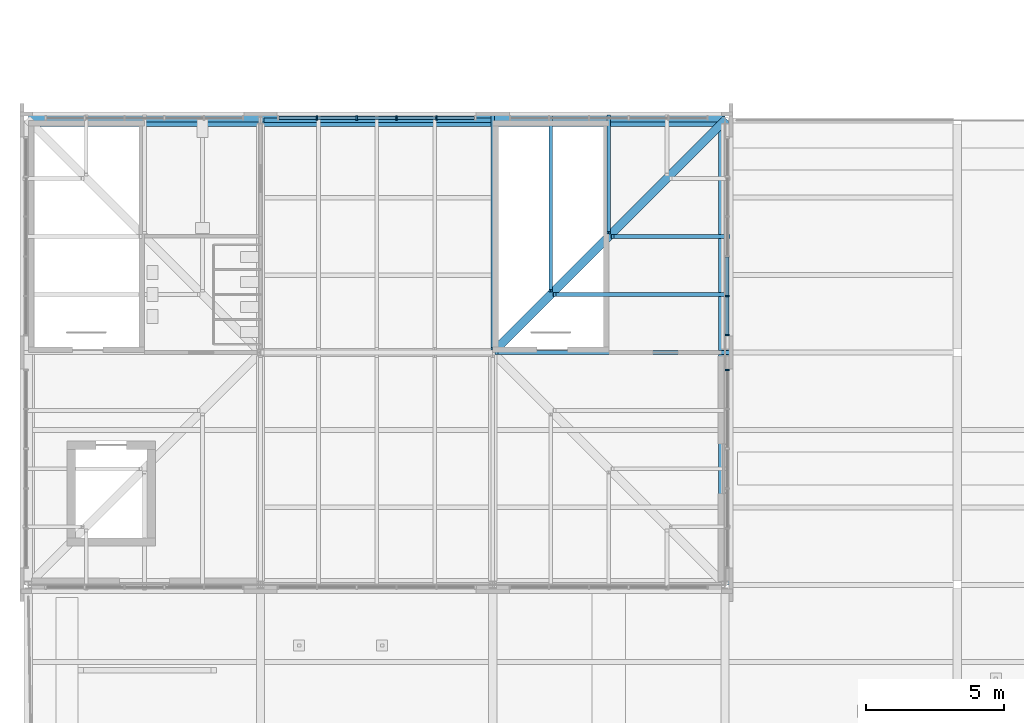
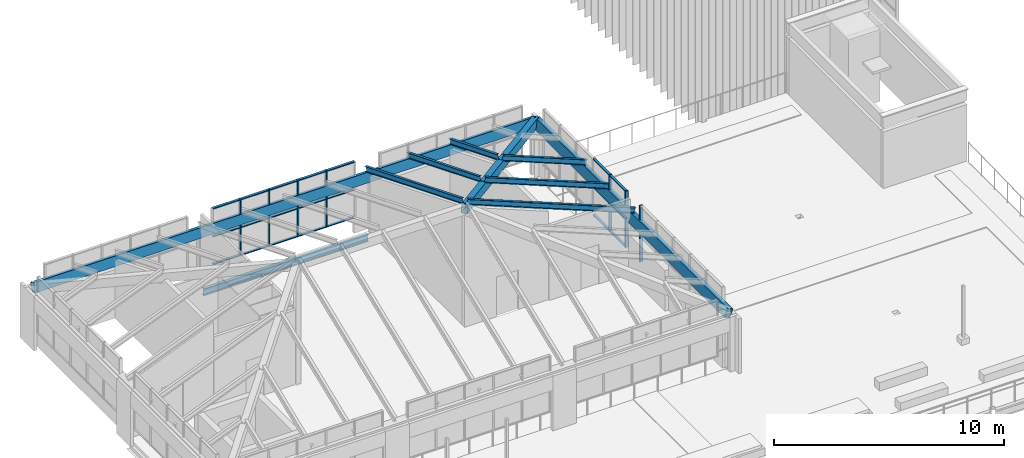
# One storey, part 11 of 126: 34 members, 4 beams, 3 elements without a shape of their own.
"""IFC4 building model written with IfcOpenShell, lengths in metres."""

from ifc_helpers import new_model, si_unit, direction, frame, origin, origin_2d, place, context, subcontext, project, spatial, polyline, rectangle, i_section, outline, extrude, material, material_profile, profile_set, type_object, element, aggregate, save


model = new_model("IFC4")

# Units and contexts
model_context = context("Model", 3, precision=1e-05, world=origin(), true_north=direction((0.0, 1.0)))
body_context = subcontext(model_context, "Body", "Model", "MODEL_VIEW")
ifc_project = project(units=[si_unit("LENGTHUNIT", "METRE"), si_unit("AREAUNIT", "SQUARE_METRE"), si_unit("VOLUMEUNIT", "CUBIC_METRE"), si_unit("PLANEANGLEUNIT", "RADIAN"), si_unit("MASSUNIT", "GRAM", prefix="KILO")], contexts=[model_context])

# Site, building, storey
site_placement = place(None, origin())
site = spatial("IfcSite", under=ifc_project, at=site_placement, CompositionType="ELEMENT")
building_placement = place(site_placement, origin())
building = spatial("IfcBuilding", under=site, at=building_placement, Name="Sava Quay Ferry Terminal", CompositionType="ELEMENT")
storey_placement = place(building_placement, frame((0.0, 0.0, 15.0)))
storey = spatial("IfcBuildingStorey", under=building, at=storey_placement, Name="L03", CompositionType="ELEMENT", Elevation=15.0)

# Beams
ifc_material_1 = material(Name="Steel S355", Category="steel")
ifc_material_profile_1 = material_profile(ifc_material_1, i_section(OverallWidth=0.169921875, OverallDepth=0.360107421875, WebThickness=0.008056640625, FlangeThickness=0.0126953125, at=origin_2d()), Name="IPE 360")
ifc_profile_set_1 = profile_set([ifc_material_profile_1], Name="Steel S355")
beam_type_1 = type_object("IfcBeamType", Name="Beam IPE 360", PredefinedType="BEAM", material=ifc_profile_set_1)
beam_1_placement = place(storey_placement, frame((8.530029296875, 50.39990234375, -0.31005859375), z_axis=(1.0, 0.0, 0.0), x_axis=(0.0, 1.0, 0.0)))
element("IfcBeam", 1, at=beam_1_placement, inside=storey, type_object=beam_type_1, Name="Beam L03", PredefinedType="BEAM", context=body_context, shape_type="SweptSolid", body=[
    extrude(i_section(OverallWidth=0.169921875, OverallDepth=0.360107421875, WebThickness=0.008056640625, FlangeThickness=0.0126953125, at=origin_2d()), origin(), (0.0, 0.0, 1.0), 8.27001953125),
])
ifc_material_2 = material(Name="Steel S355", Category="steel")
ifc_material_profile_2 = material_profile(ifc_material_2, outline(polyline([(-0.14990234375, -0.228515625), (0.14990234375, -0.228515625), (0.14990234375, 0.228515625), (-0.14990234375, 0.228515625), (-0.14990234375, -0.228515625)]), holes=[polyline([(-0.1298828125, -0.20849609375), (-0.1298828125, 0.20849609375), (0.1298828125, 0.20849609375), (0.1298828125, -0.20849609375), (-0.1298828125, -0.20849609375)])]), Name="Box 457x300x20 built-up")
ifc_profile_set_2 = profile_set([ifc_material_profile_2], Name="Steel S355")
beam_type_2 = type_object("IfcBeamType", Name="Fascia beam Box 457x300x20", PredefinedType="BEAM", material=ifc_profile_set_2)
beam_2_placement = place(storey_placement, frame((25.199951171875, 50.39990234375, 2.89990234375), z_axis=(-1.0, 0.0, 0.0), x_axis=(0.0, -0.927183854567, 0.374606593416)))
element("IfcBeam", 2, at=beam_2_placement, inside=storey, type_object=beam_type_2, Name="West pavilion eave fascia beam EA3", PredefinedType="BEAM", context=body_context, shape_type="SweptSolid", body=[
    extrude(outline(polyline([(-0.14990234375, -0.228515625), (0.14990234375, -0.228515625), (0.14990234375, 0.228515625), (-0.14990234375, 0.228515625), (-0.14990234375, -0.228515625)]), holes=[polyline([(-0.1298828125, -0.20849609375), (-0.1298828125, 0.20849609375), (0.1298828125, 0.20849609375), (0.1298828125, -0.20849609375), (-0.1298828125, -0.20849609375)])]), origin(), (0.0, 0.0, 1.0), 25.199951171875),
])
beam_3_placement = place(storey_placement, frame((25.199951171875, 50.39990234375, 2.89990234375), z_axis=(-0.679904249952, -0.679904249952, 0.274700603923), x_axis=(0.707106781187, -0.707106781187, 0.0)))
element("IfcBeam", 3, at=beam_3_placement, inside=storey, type_object=beam_type_2, Name="West pavilion hip fascia beam HI4", PredefinedType="BEAM", context=body_context, shape_type="SweptSolid", body=[
    extrude(outline(polyline([(-0.14990234375, -0.228515625), (0.14990234375, -0.228515625), (0.14990234375, 0.228515625), (-0.14990234375, 0.228515625), (-0.14990234375, -0.228515625)]), holes=[polyline([(-0.1298828125, -0.20849609375), (-0.1298828125, 0.20849609375), (0.1298828125, 0.20849609375), (0.1298828125, -0.20849609375), (-0.1298828125, -0.20849609375)])]), origin(), (0.0, 0.0, 1.0), 12.3544921875),
])
beam_4_placement = place(storey_placement, frame((25.199951171875, 33.60009765625, 2.89990234375), z_axis=(0.0, 1.0, 0.0), x_axis=(-0.927183854567, 0.0, 0.374606593416)))
element("IfcBeam", 4, at=beam_4_placement, inside=storey, type_object=beam_type_2, Name="West pavilion eave fascia beam EA4", PredefinedType="BEAM", context=body_context, shape_type="SweptSolid", body=[
    extrude(outline(polyline([(-0.14990234375, -0.228515625), (0.14990234375, -0.228515625), (0.14990234375, 0.228515625), (-0.14990234375, 0.228515625), (-0.14990234375, -0.228515625)]), holes=[polyline([(-0.1298828125, -0.20849609375), (-0.1298828125, 0.20849609375), (0.1298828125, 0.20849609375), (0.1298828125, -0.20849609375), (-0.1298828125, -0.20849609375)])]), origin(), (0.0, 0.0, 1.0), 16.7998046875),
])

# Curtain wall, member
ifc_material_3 = material(Name="Aluminium and glass curtain wall, double low-e glazed", Category="aluminium")
curtain_wall_type = type_object("IfcCurtainWallType", Name="Curtain wall CW-F flank", PredefinedType="NOTDEFINED", material=ifc_material_3)
curtain_wall_1_placement = place(storey_placement, origin())
curtain_wall_1 = element("IfcCurtainWall", 5, at=curtain_wall_1_placement, inside=storey, type_object=curtain_wall_type, Name="Curtain wall W-PAV-E L03 bay 1", PredefinedType="NOTDEFINED")
ifc_material_4 = material(Name="Aluminium EN AW-6063 T6", Category="aluminium")
ifc_material_profile_3 = material_profile(ifc_material_4, rectangle(XDim=0.14990234375, YDim=0.06005859375, at=origin_2d()), Name="Mullion 60x150 aluminium")
ifc_profile_set_3 = profile_set([ifc_material_profile_3], Name="Aluminium EN AW-6063 T6")
member_type_1 = type_object("IfcMemberType", Name="Mullion 60x150 aluminium", PredefinedType="MULLION", material=ifc_profile_set_3)
member_1_placement = place(storey_placement, frame((25.284912109375, 41.3701171875, 0.89990234375), z_axis=(0.0, 0.0, 1.0), x_axis=(-1.0, 0.0, 0.0)))
member_1 = element("IfcMember", 6, at=member_1_placement, type_object=member_type_1, Name="CW121 mullion 6", PredefinedType="MULLION", context=body_context, shape_type="SweptSolid", body=[
    extrude(rectangle(XDim=0.14990234375, YDim=0.06005859375, at=origin_2d()), origin(), (0.0, 0.0, 1.0), 3.0),
])
aggregate(curtain_wall_1, [member_1])

# Curtain wall, members
curtain_wall_2_placement = place(storey_placement, origin())
curtain_wall_2 = element("IfcCurtainWall", 7, at=curtain_wall_2_placement, inside=storey, type_object=curtain_wall_type, Name="Curtain wall W-PAV-E L03 bay 2", PredefinedType="NOTDEFINED")
member_2_placement = place(storey_placement, frame((25.284912109375, 42.6298828125, 0.89990234375), z_axis=(0.0, 0.0, 1.0), x_axis=(-1.0, 0.0, 0.0)))
member_2 = element("IfcMember", 8, at=member_2_placement, type_object=member_type_1, Name="CW122 mullion 1", PredefinedType="MULLION", context=body_context, shape_type="SweptSolid", body=[
    extrude(rectangle(XDim=0.14990234375, YDim=0.06005859375, at=origin_2d()), origin(), (0.0, 0.0, 1.0), 3.0),
])
member_3_placement = place(storey_placement, frame((25.284912109375, 44.0400390625, 0.89990234375), z_axis=(0.0, 0.0, 1.0), x_axis=(-1.0, 0.0, 0.0)))
member_3 = element("IfcMember", 9, at=member_3_placement, type_object=member_type_1, Name="CW122 mullion 2", PredefinedType="MULLION", context=body_context, shape_type="SweptSolid", body=[
    extrude(rectangle(XDim=0.14990234375, YDim=0.06005859375, at=origin_2d()), origin(), (0.0, 0.0, 1.0), 3.0),
])

curtain_wall_3_placement = place(storey_placement, origin())
curtain_wall_3 = element("IfcCurtainWall", 10, at=curtain_wall_3_placement, inside=storey, type_object=curtain_wall_type, Name="Curtain wall W-PAV-N L03 bay 2", PredefinedType="NOTDEFINED")
member_4_placement = place(storey_placement, frame((10.43994140625, 50.485107421875, 0.89990234375), z_axis=(0.0, 0.0, 1.0), x_axis=(0.0, 1.0, 0.0)))
member_4 = element("IfcMember", 11, at=member_4_placement, type_object=member_type_1, Name="CW124 mullion 2", PredefinedType="MULLION", context=body_context, shape_type="SweptSolid", body=[
    extrude(rectangle(XDim=0.14990234375, YDim=0.06005859375, at=origin_2d()), origin(), (0.0, 0.0, 1.0), 3.0),
])
member_5_placement = place(storey_placement, frame((11.8798828125, 50.485107421875, 0.89990234375), z_axis=(0.0, 0.0, 1.0), x_axis=(0.0, 1.0, 0.0)))
member_5 = element("IfcMember", 12, at=member_5_placement, type_object=member_type_1, Name="CW124 mullion 3", PredefinedType="MULLION", context=body_context, shape_type="SweptSolid", body=[
    extrude(rectangle(XDim=0.14990234375, YDim=0.06005859375, at=origin_2d()), origin(), (0.0, 0.0, 1.0), 3.0),
])
member_6_placement = place(storey_placement, frame((13.320068359375, 50.485107421875, 0.89990234375), z_axis=(0.0, 0.0, 1.0), x_axis=(0.0, 1.0, 0.0)))
member_6 = element("IfcMember", 13, at=member_6_placement, type_object=member_type_1, Name="CW124 mullion 4", PredefinedType="MULLION", context=body_context, shape_type="SweptSolid", body=[
    extrude(rectangle(XDim=0.14990234375, YDim=0.06005859375, at=origin_2d()), origin(), (0.0, 0.0, 1.0), 3.0),
])
member_7_placement = place(storey_placement, frame((14.760009765625, 50.485107421875, 0.89990234375), z_axis=(0.0, 0.0, 1.0), x_axis=(0.0, 1.0, 0.0)))
member_7 = element("IfcMember", 14, at=member_7_placement, type_object=member_type_1, Name="CW124 mullion 5", PredefinedType="MULLION", context=body_context, shape_type="SweptSolid", body=[
    extrude(rectangle(XDim=0.14990234375, YDim=0.06005859375, at=origin_2d()), origin(), (0.0, 0.0, 1.0), 3.0),
])

# Members
ifc_material_5 = material(Name="Steel S355", Category="steel")
ifc_material_profile_4 = material_profile(ifc_material_5, i_section(OverallWidth=0.135009765625, OverallDepth=0.27001953125, WebThickness=0.006591796875, FlangeThickness=0.01025390625, at=origin_2d()), Name="IPE 270")
ifc_profile_set_4 = profile_set([ifc_material_profile_4], Name="Steel S355")
member_type_2 = type_object("IfcMemberType", Name="Roof rafter IPE 270", PredefinedType="RAFTER", material=ifc_profile_set_4)
member_8_placement = place(storey_placement, frame((25.336181640625, 42.0, 3.237060546875), z_axis=(-0.927183164982, 0.0, 0.374608300192), x_axis=(0.0, -1.0, 0.0)))
element("IfcMember", 15, at=member_8_placement, inside=storey, type_object=member_type_2, Name="West pavilion rafter RA15", PredefinedType="RAFTER", context=body_context, shape_type="SweptSolid", body=[
    extrude(i_section(OverallWidth=0.135009765625, OverallDepth=0.27001953125, WebThickness=0.006591796875, FlangeThickness=0.01025390625, at=origin_2d()), origin(), (0.0, 0.0, 1.0), 9.0595703125),
])
member_9_placement = place(storey_placement, frame((25.336181640625, 44.10009765625, 3.237060546875), z_axis=(-0.927182566132, 0.0, 0.374609782387), x_axis=(0.0, -1.0, 0.0)))
element("IfcMember", 16, at=member_9_placement, inside=storey, type_object=member_type_2, Name="West pavilion rafter RA16", PredefinedType="RAFTER", context=body_context, shape_type="SweptSolid", body=[
    extrude(i_section(OverallWidth=0.135009765625, OverallDepth=0.27001953125, WebThickness=0.006591796875, FlangeThickness=0.01025390625, at=origin_2d()), origin(), (0.0, 0.0, 1.0), 6.794921875),
])
for number, where, z_axis, x_axis, name in (
    (17, (25.336181640625, 46.199951171875, 3.237060546875), (-0.927192524754, 0.0, 0.374585133235), (0.0, -1.0, 0.0), "West pavilion rafter RA17"),
    (18, (21.0, 50.5361328125, 3.237060546875), (0.0, -0.927192524754, 0.374585133235), (1.0, 0.0, 0.0), "West pavilion rafter RA20"),
):
    element("IfcMember", number, at=place(storey_placement, frame(where, z_axis=z_axis, x_axis=x_axis)), inside=storey, type_object=member_type_2, Name=name, PredefinedType="RAFTER", context=body_context, shape_type="SweptSolid", body=[
        extrude(i_section(OverallWidth=0.135009765625, OverallDepth=0.27001953125, WebThickness=0.006591796875, FlangeThickness=0.01025390625, at=origin_2d()), origin(), (0.0, 0.0, 1.0), 4.52978515625),
    ])
member_10_placement = place(storey_placement, frame((18.89990234375, 50.5361328125, 3.237060546875), z_axis=(0.0, -0.927182566132, 0.374609782387), x_axis=(1.0, 0.0, 0.0)))
element("IfcMember", 19, at=member_10_placement, inside=storey, type_object=member_type_2, Name="West pavilion rafter RA21", PredefinedType="RAFTER", context=body_context, shape_type="SweptSolid", body=[
    extrude(i_section(OverallWidth=0.135009765625, OverallDepth=0.27001953125, WebThickness=0.006591796875, FlangeThickness=0.01025390625, at=origin_2d()), origin(), (0.0, 0.0, 1.0), 6.794921875),
])
member_11_placement = place(storey_placement, frame((16.800048828125, 50.5361328125, 3.237060546875), z_axis=(0.0, -0.927183164982, 0.374608300192), x_axis=(1.0, 0.0, 0.0)))
element("IfcMember", 20, at=member_11_placement, inside=storey, type_object=member_type_2, Name="West pavilion rafter RA22", PredefinedType="RAFTER", context=body_context, shape_type="SweptSolid", body=[
    extrude(i_section(OverallWidth=0.135009765625, OverallDepth=0.27001953125, WebThickness=0.006591796875, FlangeThickness=0.01025390625, at=origin_2d()), origin(), (0.0, 0.0, 1.0), 9.0595703125),
])

# Member
ifc_material_6 = material(Name="Aluminium EN AW-6063 T6", Category="aluminium")
ifc_material_profile_5 = material_profile(ifc_material_6, rectangle(XDim=0.1201171875, YDim=0.050048828125, at=origin_2d()), Name="Transom 50x120 aluminium")
ifc_profile_set_5 = profile_set([ifc_material_profile_5], Name="Aluminium EN AW-6063 T6")
member_type_3 = type_object("IfcMemberType", Name="Transom 50x120 aluminium", PredefinedType="USERDEFINED", material=ifc_profile_set_5)
member_12_placement = place(storey_placement, frame((25.284912109375, 42.659912109375, 0.925048828125), z_axis=(0.0, 1.0, 0.0), x_axis=(-1.0, 0.0, 0.0)))
member_12 = element("IfcMember", 21, at=member_12_placement, type_object=member_type_3, Name="CW122 transom 1.1", ObjectType="TRANSOM", PredefinedType="USERDEFINED", context=body_context, shape_type="SweptSolid", body=[
    extrude(rectangle(XDim=0.1201171875, YDim=0.050048828125, at=origin_2d()), origin(), (0.0, 0.0, 1.0), 1.35009765625),
])

member_13_placement = place(storey_placement, frame((25.284912109375, 42.659912109375, 2.39990234375), z_axis=(0.0, 1.0, 0.0), x_axis=(-1.0, 0.0, 0.0)))
member_13 = element("IfcMember", 22, at=member_13_placement, type_object=member_type_3, Name="CW122 transom 1.2", ObjectType="TRANSOM", PredefinedType="USERDEFINED", context=body_context, shape_type="SweptSolid", body=[
    extrude(rectangle(XDim=0.1201171875, YDim=0.050048828125, at=origin_2d()), origin(), (0.0, 0.0, 1.0), 1.35009765625),
])

member_14_placement = place(storey_placement, frame((25.284912109375, 42.659912109375, 3.875), z_axis=(0.0, 1.0, 0.0), x_axis=(-1.0, 0.0, 0.0)))
member_14 = element("IfcMember", 23, at=member_14_placement, type_object=member_type_3, Name="CW122 transom 1.3", ObjectType="TRANSOM", PredefinedType="USERDEFINED", context=body_context, shape_type="SweptSolid", body=[
    extrude(rectangle(XDim=0.1201171875, YDim=0.050048828125, at=origin_2d()), origin(), (0.0, 0.0, 1.0), 1.35009765625),
])

member_15_placement = place(storey_placement, frame((25.284912109375, 44.070068359375, 0.925048828125), z_axis=(0.0, 1.0, 0.0), x_axis=(-1.0, 0.0, 0.0)))
member_15 = element("IfcMember", 24, at=member_15_placement, type_object=member_type_3, Name="CW122 transom 2.1", ObjectType="TRANSOM", PredefinedType="USERDEFINED", context=body_context, shape_type="SweptSolid", body=[
    extrude(rectangle(XDim=0.1201171875, YDim=0.050048828125, at=origin_2d()), origin(), (0.0, 0.0, 1.0), 1.3798828125),
])

member_16_placement = place(storey_placement, frame((25.284912109375, 44.070068359375, 2.39990234375), z_axis=(0.0, 1.0, 0.0), x_axis=(-1.0, 0.0, 0.0)))
member_16 = element("IfcMember", 25, at=member_16_placement, type_object=member_type_3, Name="CW122 transom 2.2", ObjectType="TRANSOM", PredefinedType="USERDEFINED", context=body_context, shape_type="SweptSolid", body=[
    extrude(rectangle(XDim=0.1201171875, YDim=0.050048828125, at=origin_2d()), origin(), (0.0, 0.0, 1.0), 1.3798828125),
])

member_17_placement = place(storey_placement, frame((25.284912109375, 44.070068359375, 3.875), z_axis=(0.0, 1.0, 0.0), x_axis=(-1.0, 0.0, 0.0)))
member_17 = element("IfcMember", 26, at=member_17_placement, type_object=member_type_3, Name="CW122 transom 2.3", ObjectType="TRANSOM", PredefinedType="USERDEFINED", context=body_context, shape_type="SweptSolid", body=[
    extrude(rectangle(XDim=0.1201171875, YDim=0.050048828125, at=origin_2d()), origin(), (0.0, 0.0, 1.0), 1.3798828125),
])

aggregate(curtain_wall_2, [member_2, member_3, member_12, member_13, member_14, member_15, member_16, member_17])

member_18_placement = place(storey_placement, frame((9.06005859375, 50.485107421875, 0.925048828125), z_axis=(1.0, 0.0, 0.0), x_axis=(0.0, 1.0, 0.0)))
member_18 = element("IfcMember", 27, at=member_18_placement, type_object=member_type_3, Name="CW124 transom 1.1", ObjectType="TRANSOM", PredefinedType="USERDEFINED", context=body_context, shape_type="SweptSolid", body=[
    extrude(rectangle(XDim=0.1201171875, YDim=0.050048828125, at=origin_2d()), origin(), (0.0, 0.0, 1.0), 1.349853515625),
])

member_19_placement = place(storey_placement, frame((9.06005859375, 50.485107421875, 2.39990234375), z_axis=(1.0, 0.0, 0.0), x_axis=(0.0, 1.0, 0.0)))
member_19 = element("IfcMember", 28, at=member_19_placement, type_object=member_type_3, Name="CW124 transom 1.2", ObjectType="TRANSOM", PredefinedType="USERDEFINED", context=body_context, shape_type="SweptSolid", body=[
    extrude(rectangle(XDim=0.1201171875, YDim=0.050048828125, at=origin_2d()), origin(), (0.0, 0.0, 1.0), 1.349853515625),
])

member_20_placement = place(storey_placement, frame((9.06005859375, 50.485107421875, 3.875), z_axis=(1.0, 0.0, 0.0), x_axis=(0.0, 1.0, 0.0)))
member_20 = element("IfcMember", 29, at=member_20_placement, type_object=member_type_3, Name="CW124 transom 1.3", ObjectType="TRANSOM", PredefinedType="USERDEFINED", context=body_context, shape_type="SweptSolid", body=[
    extrude(rectangle(XDim=0.1201171875, YDim=0.050048828125, at=origin_2d()), origin(), (0.0, 0.0, 1.0), 1.349853515625),
])

member_21_placement = place(storey_placement, frame((10.469970703125, 50.485107421875, 0.925048828125), z_axis=(1.0, 0.0, 0.0), x_axis=(0.0, 1.0, 0.0)))
member_21 = element("IfcMember", 30, at=member_21_placement, type_object=member_type_3, Name="CW124 transom 2.1", ObjectType="TRANSOM", PredefinedType="USERDEFINED", context=body_context, shape_type="SweptSolid", body=[
    extrude(rectangle(XDim=0.1201171875, YDim=0.050048828125, at=origin_2d()), origin(), (0.0, 0.0, 1.0), 1.380126953125),
])

member_22_placement = place(storey_placement, frame((10.469970703125, 50.485107421875, 2.39990234375), z_axis=(1.0, 0.0, 0.0), x_axis=(0.0, 1.0, 0.0)))
member_22 = element("IfcMember", 31, at=member_22_placement, type_object=member_type_3, Name="CW124 transom 2.2", ObjectType="TRANSOM", PredefinedType="USERDEFINED", context=body_context, shape_type="SweptSolid", body=[
    extrude(rectangle(XDim=0.1201171875, YDim=0.050048828125, at=origin_2d()), origin(), (0.0, 0.0, 1.0), 1.380126953125),
])

member_23_placement = place(storey_placement, frame((10.469970703125, 50.485107421875, 3.875), z_axis=(1.0, 0.0, 0.0), x_axis=(0.0, 1.0, 0.0)))
member_23 = element("IfcMember", 32, at=member_23_placement, type_object=member_type_3, Name="CW124 transom 2.3", ObjectType="TRANSOM", PredefinedType="USERDEFINED", context=body_context, shape_type="SweptSolid", body=[
    extrude(rectangle(XDim=0.1201171875, YDim=0.050048828125, at=origin_2d()), origin(), (0.0, 0.0, 1.0), 1.380126953125),
])

member_24_placement = place(storey_placement, frame((11.909912109375, 50.485107421875, 0.925048828125), z_axis=(1.0, 0.0, 0.0), x_axis=(0.0, 1.0, 0.0)))
member_24 = element("IfcMember", 33, at=member_24_placement, type_object=member_type_3, Name="CW124 transom 3.1", ObjectType="TRANSOM", PredefinedType="USERDEFINED", context=body_context, shape_type="SweptSolid", body=[
    extrude(rectangle(XDim=0.1201171875, YDim=0.050048828125, at=origin_2d()), origin(), (0.0, 0.0, 1.0), 1.380126953125),
])

member_25_placement = place(storey_placement, frame((11.909912109375, 50.485107421875, 2.39990234375), z_axis=(1.0, 0.0, 0.0), x_axis=(0.0, 1.0, 0.0)))
member_25 = element("IfcMember", 34, at=member_25_placement, type_object=member_type_3, Name="CW124 transom 3.2", ObjectType="TRANSOM", PredefinedType="USERDEFINED", context=body_context, shape_type="SweptSolid", body=[
    extrude(rectangle(XDim=0.1201171875, YDim=0.050048828125, at=origin_2d()), origin(), (0.0, 0.0, 1.0), 1.380126953125),
])

member_26_placement = place(storey_placement, frame((11.909912109375, 50.485107421875, 3.875), z_axis=(1.0, 0.0, 0.0), x_axis=(0.0, 1.0, 0.0)))
member_26 = element("IfcMember", 35, at=member_26_placement, type_object=member_type_3, Name="CW124 transom 3.3", ObjectType="TRANSOM", PredefinedType="USERDEFINED", context=body_context, shape_type="SweptSolid", body=[
    extrude(rectangle(XDim=0.1201171875, YDim=0.050048828125, at=origin_2d()), origin(), (0.0, 0.0, 1.0), 1.380126953125),
])

member_27_placement = place(storey_placement, frame((13.35009765625, 50.485107421875, 0.925048828125), z_axis=(1.0, 0.0, 0.0), x_axis=(0.0, 1.0, 0.0)))
member_27 = element("IfcMember", 36, at=member_27_placement, type_object=member_type_3, Name="CW124 transom 4.1", ObjectType="TRANSOM", PredefinedType="USERDEFINED", context=body_context, shape_type="SweptSolid", body=[
    extrude(rectangle(XDim=0.1201171875, YDim=0.050048828125, at=origin_2d()), origin(), (0.0, 0.0, 1.0), 1.3798828125),
])

member_28_placement = place(storey_placement, frame((13.35009765625, 50.485107421875, 2.39990234375), z_axis=(1.0, 0.0, 0.0), x_axis=(0.0, 1.0, 0.0)))
member_28 = element("IfcMember", 37, at=member_28_placement, type_object=member_type_3, Name="CW124 transom 4.2", ObjectType="TRANSOM", PredefinedType="USERDEFINED", context=body_context, shape_type="SweptSolid", body=[
    extrude(rectangle(XDim=0.1201171875, YDim=0.050048828125, at=origin_2d()), origin(), (0.0, 0.0, 1.0), 1.3798828125),
])

member_29_placement = place(storey_placement, frame((13.35009765625, 50.485107421875, 3.875), z_axis=(1.0, 0.0, 0.0), x_axis=(0.0, 1.0, 0.0)))
member_29 = element("IfcMember", 38, at=member_29_placement, type_object=member_type_3, Name="CW124 transom 4.3", ObjectType="TRANSOM", PredefinedType="USERDEFINED", context=body_context, shape_type="SweptSolid", body=[
    extrude(rectangle(XDim=0.1201171875, YDim=0.050048828125, at=origin_2d()), origin(), (0.0, 0.0, 1.0), 1.3798828125),
])

member_30_placement = place(storey_placement, frame((14.7900390625, 50.485107421875, 0.925048828125), z_axis=(1.0, 0.0, 0.0), x_axis=(0.0, 1.0, 0.0)))
member_30 = element("IfcMember", 39, at=member_30_placement, type_object=member_type_3, Name="CW124 transom 5.1", ObjectType="TRANSOM", PredefinedType="USERDEFINED", context=body_context, shape_type="SweptSolid", body=[
    extrude(rectangle(XDim=0.1201171875, YDim=0.050048828125, at=origin_2d()), origin(), (0.0, 0.0, 1.0), 1.349853515625),
])

member_31_placement = place(storey_placement, frame((14.7900390625, 50.485107421875, 2.39990234375), z_axis=(1.0, 0.0, 0.0), x_axis=(0.0, 1.0, 0.0)))
member_31 = element("IfcMember", 40, at=member_31_placement, type_object=member_type_3, Name="CW124 transom 5.2", ObjectType="TRANSOM", PredefinedType="USERDEFINED", context=body_context, shape_type="SweptSolid", body=[
    extrude(rectangle(XDim=0.1201171875, YDim=0.050048828125, at=origin_2d()), origin(), (0.0, 0.0, 1.0), 1.349853515625),
])

member_32_placement = place(storey_placement, frame((14.7900390625, 50.485107421875, 3.875), z_axis=(1.0, 0.0, 0.0), x_axis=(0.0, 1.0, 0.0)))
member_32 = element("IfcMember", 41, at=member_32_placement, type_object=member_type_3, Name="CW124 transom 5.3", ObjectType="TRANSOM", PredefinedType="USERDEFINED", context=body_context, shape_type="SweptSolid", body=[
    extrude(rectangle(XDim=0.1201171875, YDim=0.050048828125, at=origin_2d()), origin(), (0.0, 0.0, 1.0), 1.349853515625),
])

aggregate(curtain_wall_3, [member_4, member_5, member_6, member_7, member_18, member_19, member_20, member_21, member_22, member_23, member_24, member_25, member_26, member_27, member_28, member_29, member_30, member_31, member_32])

save(model, "model.ifc")
